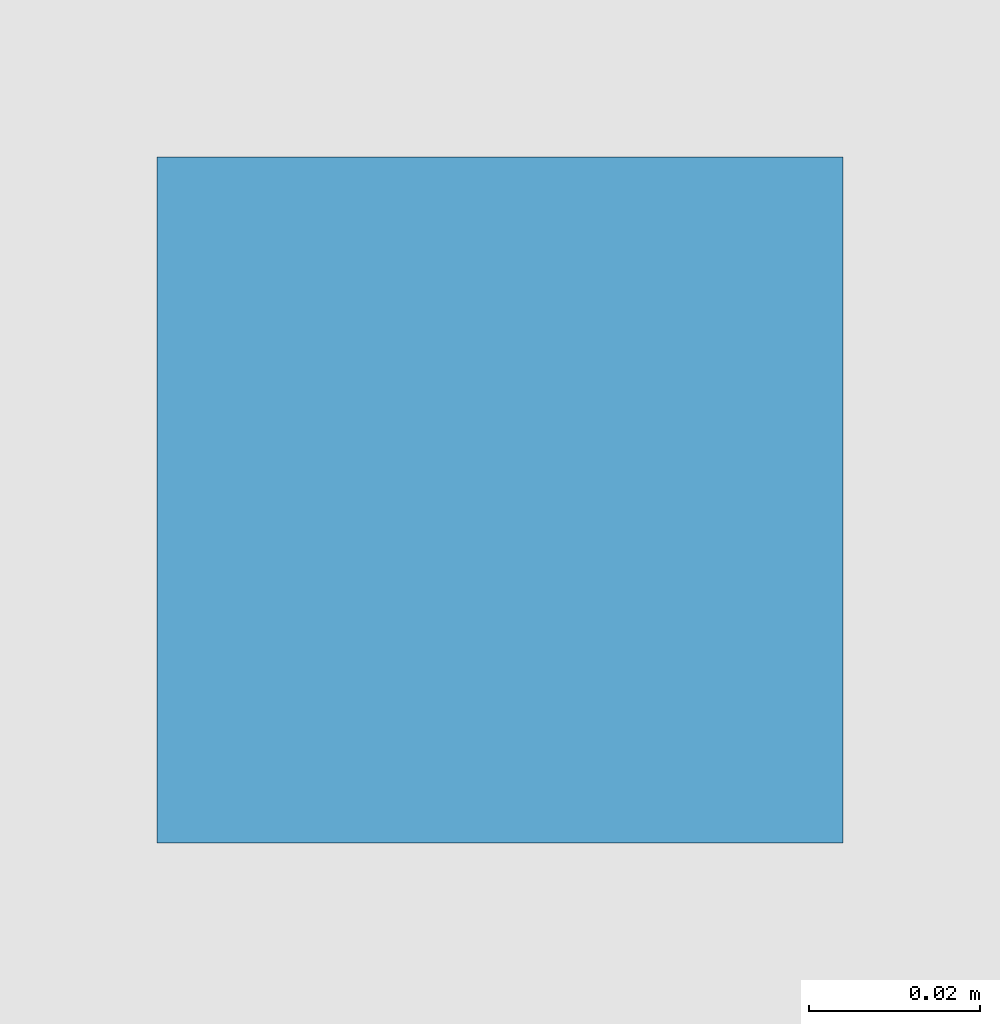
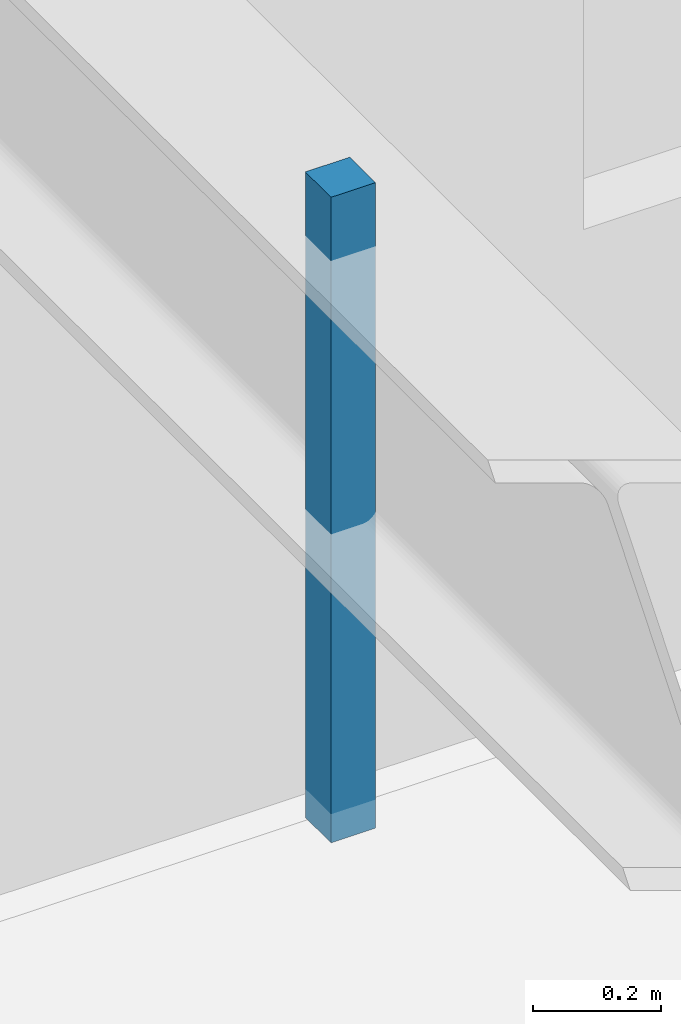
# One storey, part 122 of 144: 1 discrete accessory.
"""IFC4 building model written with IfcOpenShell, lengths in metres."""

from ifc_helpers import new_model, si_unit, direction, frame, origin, origin_2d, place, context, subcontext, project, spatial, rectangle, extrude, material, layer, layer_set, type_object, element, save


model = new_model("IFC4")

# Units and contexts
model_context = context("Model", 3, precision=1e-05, world=origin(), true_north=direction((0.0, 1.0)))
body_context = subcontext(model_context, "Body", "Model", "MODEL_VIEW")
ifc_project = project(units=[si_unit("LENGTHUNIT", "METRE"), si_unit("AREAUNIT", "SQUARE_METRE"), si_unit("VOLUMEUNIT", "CUBIC_METRE"), si_unit("PLANEANGLEUNIT", "RADIAN"), si_unit("MASSUNIT", "GRAM", prefix="KILO")], contexts=[model_context])

# Site, building, storey
site_placement = place(None, origin())
site = spatial("IfcSite", under=ifc_project, at=site_placement, CompositionType="ELEMENT")
building_placement = place(site_placement, origin())
building = spatial("IfcBuilding", under=site, at=building_placement, Name="Varnabhumi Central Station", CompositionType="ELEMENT")
storey_placement = place(building_placement, frame((0.0, 0.0, 4.800048828125)))
storey = spatial("IfcBuildingStorey", under=building, at=storey_placement, Name="L01", CompositionType="ELEMENT", Elevation=4.800048828125)

# Discrete accessory
ifc_material = material(Name="Structural steel E350", Category="steel")
ifc_layer = layer(ifc_material, 0.159912109375, Name="Structural steel E350", Category="steel")
ifc_layer_set = layer_set([ifc_layer], Name="Structural steel E350")
discrete_accessory_type = type_object("IfcDiscreteAccessoryType", Name="ACC-SHADE-BRKT", PredefinedType="BRACKET", material=ifc_layer_set)
discrete_accessory_placement = place(storey_placement, frame((55.949951171875, 111.5, 3.43994140625), z_axis=(0.0, 0.0, 1.0), x_axis=(1.0, 0.0, 0.0)))
element("IfcDiscreteAccessory", 1, at=discrete_accessory_placement, inside=storey, type_object=discrete_accessory_type, Name="Transit Reading and Quiet Lounge Ceiling Hanger", PredefinedType="BRACKET", context=body_context, shape_type="SweptSolid", body=[
    extrude(rectangle(XDim=0.080078125, YDim=0.080078125, at=origin_2d()), origin(), (0.0, 0.0, 1.0), 1.22998046875),
])

save(model, "model.ifc")
